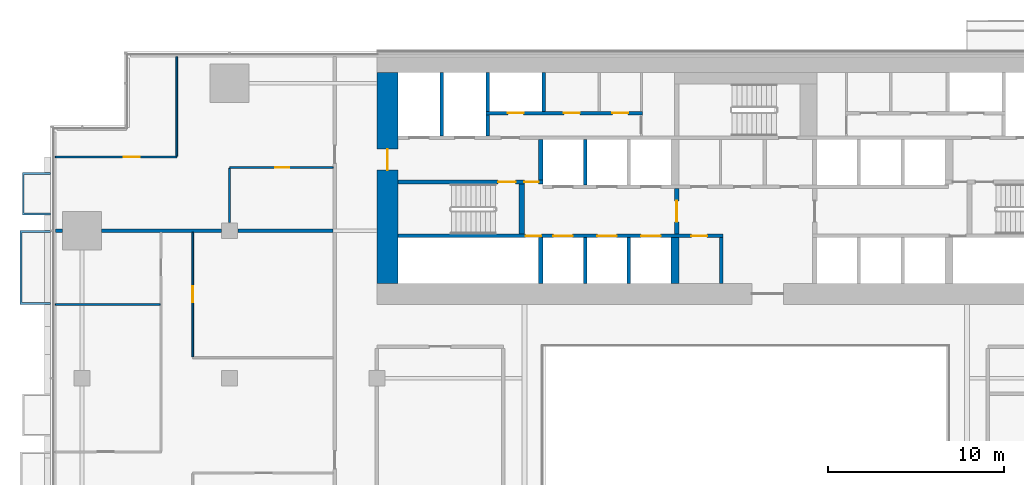
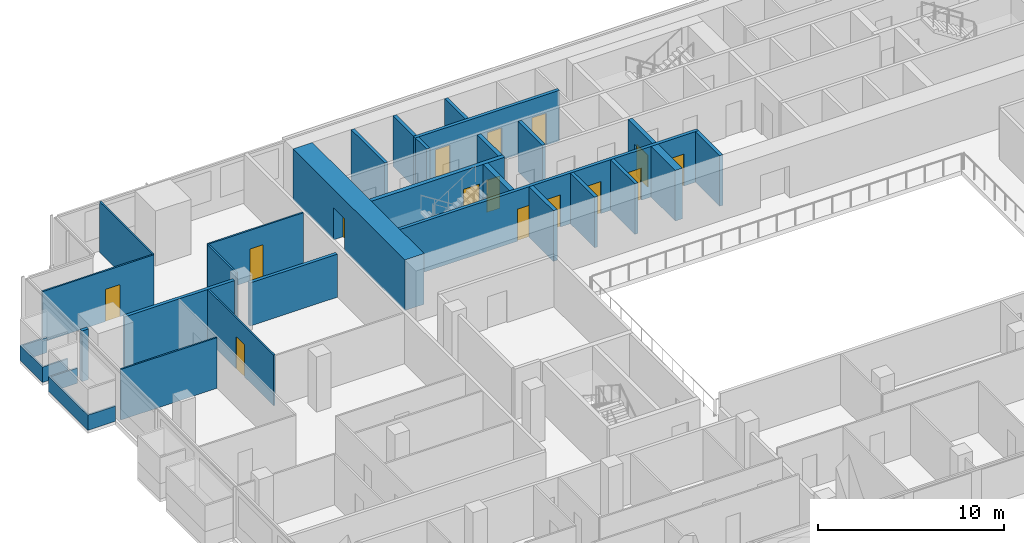
# One storey, part 20 of 30: 28 walls, 15 doors, 15 openings.
"""IFC4 building model written with IfcOpenShell, lengths in metres."""

from ifc_helpers import new_model, si_unit, direction, frame, frame_2d, origin, place, context, subcontext, project, spatial, polyline, rectangle, outline, extrude, material, layer, layer_set, type_object, element, fill, save


model = new_model("IFC4")

# Units and contexts
model_context = context("Model", 3, precision=1e-05, world=origin(), true_north=direction((0.0, 1.0)))
body_context = subcontext(model_context, "Body", "Model", "MODEL_VIEW")
ifc_project = project(units=[si_unit("LENGTHUNIT", "METRE"), si_unit("AREAUNIT", "SQUARE_METRE"), si_unit("VOLUMEUNIT", "CUBIC_METRE"), si_unit("PLANEANGLEUNIT", "RADIAN"), si_unit("MASSUNIT", "GRAM", prefix="KILO")], contexts=[model_context])

# Site, building, storey
site_placement = place(None, origin())
site = spatial("IfcSite", under=ifc_project, at=site_placement, CompositionType="ELEMENT")
building_placement = place(site_placement, origin())
building = spatial("IfcBuilding", under=site, at=building_placement, Name="Saffron Gate Tower", CompositionType="ELEMENT")
storey_placement = place(building_placement, frame((0.0, 0.0, 37.199951171875)))
storey = spatial("IfcBuildingStorey", under=building, at=storey_placement, Name="L07", CompositionType="ELEMENT", Elevation=37.199951171875)

# Wall, opening, door
ifc_material_1 = material(Name="Concrete C70", Category="concrete")
ifc_layer_1 = layer(ifc_material_1, 1.199951171875)
ifc_layer_set_1 = layer_set([ifc_layer_1], Name="CW1 RC core wall 1200 C70")
wall_type_1 = type_object("IfcWallType", Name="CW1 RC core wall 1200 C70", PredefinedType="SOLIDWALL", material=ifc_layer_set_1)
wall_1_placement = place(storey_placement, frame((67.199951171875, 62.39990234375, 0.0), z_axis=(0.0, 0.0, 1.0), x_axis=(0.0, 1.0, 0.0)))
wall_1 = element("IfcWall", 1, at=wall_1_placement, inside=storey, type_object=wall_type_1, Name="Wall CW1-L07-3", PredefinedType="SOLIDWALL", context=body_context, shape_type="SweptSolid", body=[
    extrude(rectangle(XDim=12.0, YDim=1.199951171875, at=frame_2d((6.0, 0.0))), origin(), (0.0, 0.0, 1.0), 3.320068359375),
])
opening_1_placement = place(wall_1_placement, frame((6.449951171875, 0.0, 0.0)))
opening_1 = element("IfcOpeningElement", 2, at=opening_1_placement, cuts=wall_1, Name="Opening CR-10", PredefinedType="OPENING", context=body_context, shape_type="SweptSolid", body=[
    extrude(rectangle(XDim=1.199951171875, YDim=2.10009765625, at=frame_2d((0.60009765625, 1.050048828125))), frame((0.0, 0.60986328125, 0.0), z_axis=(0.0, -1.0, 0.0), x_axis=(1.0, 0.0, 0.0)), (0.0, 0.0, 1.0), 1.219970703125),
])
ifc_material_2 = material(Name="Steel fire door set", Category="steel")
door_type_1 = type_object("IfcDoorType", Name="CD7 Core entrance door 1200x2100 EI 120", OperationType="NOTDEFINED", PredefinedType="DOOR", material=ifc_material_2)
door_1_placement = place(opening_1_placement, origin())
door_1 = element("IfcDoor", 3, at=door_1_placement, inside=storey, type_object=door_type_1, Name="DOOR CR-10", OperationType="SINGLE_SWING_LEFT", OverallHeight=2.10009765625, OverallWidth=1.199951171875, PredefinedType="DOOR", context=body_context, shape_type="SweptSolid", body=[
    extrude(rectangle(XDim=1.199951171875, YDim=2.10009765625, at=frame_2d((0.60009765625, 1.050048828125))), frame((0.0, 0.02490234375, 0.0), z_axis=(0.0, -1.0, 0.0), x_axis=(1.0, 0.0, 0.0)), (0.0, 0.0, 1.0), 0.050048828125),
])
fill(opening_1, door_1)

# Walls
ifc_material_3 = material(Name="Gypsum board partition on steel studs", Category="steel")
ifc_layer_2 = layer(ifc_material_3, 0.199951171875)
ifc_layer_set_2 = layer_set([ifc_layer_2], Name="CW10 Core partition 200")
wall_type_2 = type_object("IfcWallType", Name="CW10 Core partition 200", PredefinedType="PARTITIONING", material=ifc_layer_set_2)
wall_2_placement = place(storey_placement, frame((86.199951171875, 62.39990234375, 0.0), z_axis=(0.0, 0.0, 1.0), x_axis=(0.0, 1.0, 0.0)))
element("IfcWall", 4, at=wall_2_placement, inside=storey, type_object=wall_type_2, Name="Wall CW10-L07-9", PredefinedType="PARTITIONING", context=body_context, shape_type="SweptSolid", body=[
    extrude(rectangle(XDim=2.60009765625, YDim=0.199951171875, at=frame_2d((1.300048828125, 0.0))), origin(), (0.0, 0.0, 1.0), 3.320068359375),
])
ifc_layer_3 = layer(ifc_material_1, 0.25)
ifc_layer_set_3 = layer_set([ifc_layer_3], Name="CW2 RC core wall 250 C70")
wall_type_3 = type_object("IfcWallType", Name="CW2 RC core wall 250 C70", PredefinedType="SOLIDWALL", material=ifc_layer_set_3)
wall_3_placement = place(storey_placement, frame((75.925048828125, 62.39990234375, 0.0), z_axis=(0.0, 0.0, 1.0), x_axis=(0.0, 1.0, 0.0)))
element("IfcWall", 5, at=wall_3_placement, inside=storey, type_object=wall_type_3, Name="Wall CW2-L07-5", PredefinedType="SOLIDWALL", context=body_context, shape_type="SweptSolid", body=[
    extrude(rectangle(XDim=2.60009765625, YDim=0.25, at=frame_2d((1.300048828125, 0.0))), origin(), (0.0, 0.0, 1.0), 3.320068359375),
])

# Wall, opening, door
wall_4_placement = place(storey_placement, frame((83.675048828125, 65.199951171875, 0.0), z_axis=(0.0, 0.0, 1.0), x_axis=(0.0, 1.0, 0.0)))
wall_4 = element("IfcWall", 6, at=wall_4_placement, inside=storey, type_object=wall_type_3, Name="Wall CW2-L07-17", PredefinedType="SOLIDWALL", context=body_context, shape_type="SweptSolid", body=[
    extrude(rectangle(XDim=2.60009765625, YDim=0.25, at=frame_2d((1.300048828125, 0.0))), origin(), (0.0, 0.0, 1.0), 3.320068359375),
])
opening_2_placement = place(wall_4_placement, frame((0.699951171875, 0.0, 0.0)))
opening_2 = element("IfcOpeningElement", 7, at=opening_2_placement, cuts=wall_4, Name="Opening CR-07", PredefinedType="OPENING", context=body_context, shape_type="SweptSolid", body=[
    extrude(rectangle(XDim=1.199951171875, YDim=2.10009765625, at=frame_2d((0.60009765625, 1.050048828125))), frame((0.0, 0.135009765625, 0.0), z_axis=(0.0, -1.0, 0.0), x_axis=(1.0, 0.0, 0.0)), (0.0, 0.0, 1.0), 0.27001953125),
])
door_type_2 = type_object("IfcDoorType", Name="CD3 Lobby door 1200x2100 EI 120", OperationType="NOTDEFINED", PredefinedType="DOOR", material=ifc_material_2)
door_2_placement = place(opening_2_placement, origin())
door_2 = element("IfcDoor", 8, at=door_2_placement, inside=storey, type_object=door_type_2, Name="DOOR CR-07", OperationType="SINGLE_SWING_RIGHT", OverallHeight=2.10009765625, OverallWidth=1.199951171875, PredefinedType="DOOR", context=body_context, shape_type="SweptSolid", body=[
    extrude(rectangle(XDim=1.199951171875, YDim=2.10009765625, at=frame_2d((0.60009765625, 1.050048828125))), frame((0.0, 0.02490234375, 0.0), z_axis=(0.0, -1.0, 0.0), x_axis=(1.0, 0.0, 0.0)), (0.0, 0.0, 1.0), 0.050048828125),
])
fill(opening_2, door_2)

# Wall, openings, doors
wall_5_placement = place(storey_placement, frame((67.800048828125, 68.175048828125, 0.0), z_axis=(0.0, 0.0, 1.0), x_axis=(1.0, 0.0, 0.0)))
wall_5 = element("IfcWall", 9, at=wall_5_placement, inside=storey, type_object=wall_type_3, Name="Wall CW2-L07-30", PredefinedType="SOLIDWALL", context=body_context, shape_type="SweptSolid", body=[
    extrude(rectangle(XDim=8.25, YDim=0.25, at=frame_2d((4.125, 0.0))), origin(), (0.0, 0.0, 1.0), 3.320068359375),
])
opening_3_placement = place(wall_5_placement, frame((5.699951171875, 0.0, 0.0)))
opening_3 = element("IfcOpeningElement", 10, at=opening_3_placement, cuts=wall_5, Name="Opening CR-15", PredefinedType="OPENING", context=body_context, shape_type="SweptSolid", body=[
    extrude(rectangle(XDim=1.0, YDim=2.10009765625, at=frame_2d((0.5, 1.050048828125))), frame((0.0, 0.135009765625, 0.0), z_axis=(0.0, -1.0, 0.0), x_axis=(1.0, 0.0, 0.0)), (0.0, 0.0, 1.0), 0.27001953125),
])
opening_4_placement = place(wall_5_placement, frame((7.199951171875, 0.0, 0.0)))
opening_4 = element("IfcOpeningElement", 11, at=opening_4_placement, cuts=wall_5, Name="Opening CR-06", PredefinedType="OPENING", context=body_context, shape_type="SweptSolid", body=[
    extrude(rectangle(XDim=0.800048828125, YDim=2.10009765625, at=frame_2d((0.39990234375, 1.050048828125))), frame((0.0, 0.135009765625, 0.0), z_axis=(0.0, -1.0, 0.0), x_axis=(1.0, 0.0, 0.0)), (0.0, 0.0, 1.0), 0.27001953125),
])
door_type_3 = type_object("IfcDoorType", Name="CD5 Stair door 1000x2100 EI 120", OperationType="NOTDEFINED", PredefinedType="DOOR", material=ifc_material_2)
door_3_placement = place(opening_3_placement, origin())
door_3 = element("IfcDoor", 12, at=door_3_placement, inside=storey, type_object=door_type_3, Name="DOOR CR-15", OperationType="SINGLE_SWING_RIGHT", OverallHeight=2.10009765625, OverallWidth=1.0, PredefinedType="DOOR", context=body_context, shape_type="SweptSolid", body=[
    extrude(rectangle(XDim=1.0, YDim=2.10009765625, at=frame_2d((0.5, 1.050048828125))), frame((0.0, 0.02490234375, 0.0), z_axis=(0.0, -1.0, 0.0), x_axis=(1.0, 0.0, 0.0)), (0.0, 0.0, 1.0), 0.050048828125),
])
fill(opening_3, door_3)
door_type_4 = type_object("IfcDoorType", Name="CD6 Lobby door 800x2100 EI 120", OperationType="NOTDEFINED", PredefinedType="DOOR", material=ifc_material_2)
door_4_placement = place(opening_4_placement, origin())
door_4 = element("IfcDoor", 13, at=door_4_placement, inside=storey, type_object=door_type_4, Name="DOOR CR-06", OperationType="SINGLE_SWING_LEFT", OverallHeight=2.10009765625, OverallWidth=0.800048828125, PredefinedType="DOOR", context=body_context, shape_type="SweptSolid", body=[
    extrude(rectangle(XDim=0.800048828125, YDim=2.10009765625, at=frame_2d((0.39990234375, 1.050048828125))), frame((0.0, 0.02490234375, 0.0), z_axis=(0.0, -1.0, 0.0), x_axis=(1.0, 0.0, 0.0)), (0.0, 0.0, 1.0), 0.050048828125),
])
fill(opening_4, door_4)

# Walls
wall_6_placement = place(storey_placement, frame((75.925048828125, 68.300048828125, 0.0), z_axis=(0.0, 0.0, 1.0), x_axis=(0.0, 1.0, 0.0)))
element("IfcWall", 14, at=wall_6_placement, inside=storey, type_object=wall_type_3, Name="Wall CW2-L07-32", PredefinedType="SOLIDWALL", context=body_context, shape_type="SweptSolid", body=[
    extrude(rectangle(XDim=2.300048828125, YDim=0.25, at=frame_2d((1.14990234375, 0.0))), origin(), (0.0, 0.0, 1.0), 3.320068359375),
])
ifc_layer_4 = layer(ifc_material_1, 0.199951171875)
ifc_layer_set_4 = layer_set([ifc_layer_4], Name="CW3 RC core wall 200 C70")
wall_type_4 = type_object("IfcWallType", Name="CW3 RC core wall 200 C70", PredefinedType="SOLIDWALL", material=ifc_layer_set_4)
for number, where, z_axis, x_axis, name in (
    (15, (78.449951171875, 62.39990234375, 0.0), (0.0, 0.0, 1.0), (0.0, 1.0, 0.0), "Wall CW3-L07-6"),
    (16, (80.949951171875, 62.39990234375, 0.0), (0.0, 0.0, 1.0), (0.0, 1.0, 0.0), "Wall CW3-L07-7"),
):
    element("IfcWall", number, at=place(storey_placement, frame(where, z_axis=z_axis, x_axis=x_axis)), inside=storey, type_object=wall_type_4, Name=name, PredefinedType="SOLIDWALL", context=body_context, shape_type="SweptSolid", body=[
        extrude(rectangle(XDim=2.60009765625, YDim=0.199951171875, at=frame_2d((1.300048828125, 0.0))), origin(), (0.0, 0.0, 1.0), 3.320068359375),
    ])

# Wall, openings, doors
wall_7_placement = place(storey_placement, frame((67.800048828125, 65.10009765625, 0.0), z_axis=(0.0, 0.0, 1.0), x_axis=(1.0, 0.0, 0.0)))
wall_7 = element("IfcWall", 17, at=wall_7_placement, inside=storey, type_object=wall_type_4, Name="Wall CW3-L07-14", PredefinedType="SOLIDWALL", context=body_context, shape_type="SweptSolid", body=[
    extrude(rectangle(XDim=18.5, YDim=0.199951171875, at=frame_2d((9.25, 0.0))), origin(), (0.0, 0.0, 1.0), 3.320068359375),
])
opening_5_placement = place(wall_7_placement, frame((7.27001953125, 0.0, 0.0)))
opening_5 = element("IfcOpeningElement", 18, at=opening_5_placement, cuts=wall_7, Name="Opening CR-49", PredefinedType="OPENING", context=body_context, shape_type="SweptSolid", body=[
    extrude(rectangle(XDim=0.89990234375, YDim=2.10009765625, at=frame_2d((0.449951171875, 1.050048828125))), frame((0.0, 0.10986328125, 0.0), z_axis=(0.0, -1.0, 0.0), x_axis=(1.0, 0.0, 0.0)), (0.0, 0.0, 1.0), 0.219970703125),
])
opening_6_placement = place(wall_7_placement, frame((8.85009765625, 0.0, 0.0)))
opening_6 = element("IfcOpeningElement", 19, at=opening_6_placement, cuts=wall_7, Name="Opening LD-LR1", PredefinedType="OPENING", context=body_context, shape_type="SweptSolid", body=[
    extrude(rectangle(XDim=1.10009765625, YDim=2.10009765625, at=frame_2d((0.550048828125, 1.050048828125))), frame((0.0, 0.10986328125, 0.0), z_axis=(0.0, -1.0, 0.0), x_axis=(1.0, 0.0, 0.0)), (0.0, 0.0, 1.0), 0.219970703125),
])
opening_7_placement = place(wall_7_placement, frame((11.35009765625, 0.0, 0.0)))
opening_7 = element("IfcOpeningElement", 20, at=opening_7_placement, cuts=wall_7, Name="Opening LD-LR2", PredefinedType="OPENING", context=body_context, shape_type="SweptSolid", body=[
    extrude(rectangle(XDim=1.10009765625, YDim=2.10009765625, at=frame_2d((0.550048828125, 1.050048828125))), frame((0.0, 0.10986328125, 0.0), z_axis=(0.0, -1.0, 0.0), x_axis=(1.0, 0.0, 0.0)), (0.0, 0.0, 1.0), 0.219970703125),
])
opening_8_placement = place(wall_7_placement, frame((13.85009765625, 0.0, 0.0)))
opening_8 = element("IfcOpeningElement", 21, at=opening_8_placement, cuts=wall_7, Name="Opening LD-LR3", PredefinedType="OPENING", context=body_context, shape_type="SweptSolid", body=[
    extrude(rectangle(XDim=1.10009765625, YDim=2.10009765625, at=frame_2d((0.550048828125, 1.050048828125))), frame((0.0, 0.10986328125, 0.0), z_axis=(0.0, -1.0, 0.0), x_axis=(1.0, 0.0, 0.0)), (0.0, 0.0, 1.0), 0.219970703125),
])
opening_9_placement = place(wall_7_placement, frame((16.699951171875, 0.0, 0.0)))
opening_9 = element("IfcOpeningElement", 22, at=opening_9_placement, cuts=wall_7, Name="Opening CR-69", PredefinedType="OPENING", context=body_context, shape_type="SweptSolid", body=[
    extrude(rectangle(XDim=0.89990234375, YDim=2.10009765625, at=frame_2d((0.449951171875, 1.050048828125))), frame((0.0, 0.10986328125, 0.0), z_axis=(0.0, -1.0, 0.0), x_axis=(1.0, 0.0, 0.0)), (0.0, 0.0, 1.0), 0.219970703125),
])
door_type_5 = type_object("IfcDoorType", Name="CD2 Riser door 900x2100 EI 60", OperationType="NOTDEFINED", PredefinedType="DOOR", material=ifc_material_2)
door_5_placement = place(opening_5_placement, origin())
door_5 = element("IfcDoor", 23, at=door_5_placement, inside=storey, type_object=door_type_5, Name="DOOR CR-49", OperationType="SINGLE_SWING_LEFT", OverallHeight=2.10009765625, OverallWidth=0.89990234375, PredefinedType="DOOR", context=body_context, shape_type="SweptSolid", body=[
    extrude(rectangle(XDim=0.89990234375, YDim=2.10009765625, at=frame_2d((0.449951171875, 1.050048828125))), frame((0.0, 0.02490234375, 0.0), z_axis=(0.0, -1.0, 0.0), x_axis=(1.0, 0.0, 0.0)), (0.0, 0.0, 1.0), 0.050048828125),
])
fill(opening_5, door_5)
door_type_6 = type_object("IfcDoorType", Name="CD9 Room door 900x2100 EI 60", OperationType="NOTDEFINED", PredefinedType="DOOR", material=ifc_material_2)
door_6_placement = place(opening_9_placement, origin())
door_6 = element("IfcDoor", 24, at=door_6_placement, inside=storey, type_object=door_type_6, Name="DOOR CR-69", OperationType="SINGLE_SWING_RIGHT", OverallHeight=2.10009765625, OverallWidth=0.89990234375, PredefinedType="DOOR", context=body_context, shape_type="SweptSolid", body=[
    extrude(rectangle(XDim=0.89990234375, YDim=2.10009765625, at=frame_2d((0.449951171875, 1.050048828125))), frame((0.0, 0.02490234375, 0.0), z_axis=(0.0, -1.0, 0.0), x_axis=(1.0, 0.0, 0.0)), (0.0, 0.0, 1.0), 0.050048828125),
])
fill(opening_9, door_6)
ifc_material_4 = material(Name="Stainless steel landing door", Category="steel")
door_type_7 = type_object("IfcDoorType", Name="LD Lift landing door 1100x2100 EI 120", OperationType="SLIDING_TO_LEFT", PredefinedType="DOOR", material=ifc_material_4)
door_7_placement = place(opening_6_placement, origin())
door_7 = element("IfcDoor", 25, at=door_7_placement, inside=storey, type_object=door_type_7, Name="LANDING DOOR LD-LR1", OperationType="SLIDING_TO_LEFT", OverallHeight=2.10009765625, OverallWidth=1.10009765625, PredefinedType="DOOR", context=body_context, shape_type="SweptSolid", body=[
    extrude(rectangle(XDim=1.10009765625, YDim=2.10009765625, at=frame_2d((0.550048828125, 1.050048828125))), frame((0.0, 0.02490234375, 0.0), z_axis=(0.0, -1.0, 0.0), x_axis=(1.0, 0.0, 0.0)), (0.0, 0.0, 1.0), 0.050048828125),
])
fill(opening_6, door_7)
door_8_placement = place(opening_7_placement, origin())
door_8 = element("IfcDoor", 26, at=door_8_placement, inside=storey, type_object=door_type_7, Name="LANDING DOOR LD-LR2", OperationType="SLIDING_TO_LEFT", OverallHeight=2.10009765625, OverallWidth=1.10009765625, PredefinedType="DOOR", context=body_context, shape_type="SweptSolid", body=[
    extrude(rectangle(XDim=1.10009765625, YDim=2.10009765625, at=frame_2d((0.550048828125, 1.050048828125))), frame((0.0, 0.02490234375, 0.0), z_axis=(0.0, -1.0, 0.0), x_axis=(1.0, 0.0, 0.0)), (0.0, 0.0, 1.0), 0.050048828125),
])
fill(opening_7, door_8)
door_9_placement = place(opening_8_placement, origin())
door_9 = element("IfcDoor", 27, at=door_9_placement, inside=storey, type_object=door_type_7, Name="LANDING DOOR LD-LR3", OperationType="SLIDING_TO_LEFT", OverallHeight=2.10009765625, OverallWidth=1.10009765625, PredefinedType="DOOR", context=body_context, shape_type="SweptSolid", body=[
    extrude(rectangle(XDim=1.10009765625, YDim=2.10009765625, at=frame_2d((0.550048828125, 1.050048828125))), frame((0.0, 0.02490234375, 0.0), z_axis=(0.0, -1.0, 0.0), x_axis=(1.0, 0.0, 0.0)), (0.0, 0.0, 1.0), 0.050048828125),
])
fill(opening_8, door_9)

# Walls
wall_8_placement = place(storey_placement, frame((78.449951171875, 68.0, 0.0), z_axis=(0.0, 0.0, 1.0), x_axis=(0.0, 1.0, 0.0)))
element("IfcWall", 28, at=wall_8_placement, inside=storey, type_object=wall_type_4, Name="Wall CW3-L07-21", PredefinedType="SOLIDWALL", context=body_context, shape_type="SweptSolid", body=[
    extrude(rectangle(XDim=2.60009765625, YDim=0.199951171875, at=frame_2d((1.300048828125, 0.0))), origin(), (0.0, 0.0, 1.0), 3.320068359375),
])
wall_9_placement = place(storey_placement, frame((70.300048828125, 70.800048828125, 0.0), z_axis=(0.0, 0.0, 1.0), x_axis=(0.0, 1.0, 0.0)))
element("IfcWall", 29, at=wall_9_placement, inside=storey, type_object=wall_type_4, Name="Wall CW3-L07-35", PredefinedType="SOLIDWALL", context=body_context, shape_type="SweptSolid", body=[
    extrude(rectangle(XDim=3.599853515625, YDim=0.199951171875, at=frame_2d((1.7998046875, 0.0))), origin(), (0.0, 0.0, 1.0), 3.320068359375),
])
wall_10_placement = place(storey_placement, frame((72.89990234375, 70.800048828125, 0.0), z_axis=(0.0, 0.0, 1.0), x_axis=(0.0, 1.0, 0.0)))
element("IfcWall", 30, at=wall_10_placement, inside=storey, type_object=wall_type_4, Name="Wall CW3-L07-36", PredefinedType="SOLIDWALL", context=body_context, shape_type="SweptSolid", body=[
    extrude(rectangle(XDim=1.199951171875, YDim=0.199951171875, at=frame_2d((0.60009765625, 0.0))), origin(), (0.0, 0.0, 1.0), 3.320068359375),
])

# Wall, openings, doors
wall_11_placement = place(storey_placement, frame((72.800048828125, 72.10009765625, 0.0), z_axis=(0.0, 0.0, 1.0), x_axis=(1.0, 0.0, 0.0)))
wall_11 = element("IfcWall", 31, at=wall_11_placement, inside=storey, type_object=wall_type_4, Name="Wall CW3-L07-43", PredefinedType="SOLIDWALL", context=body_context, shape_type="SweptSolid", body=[
    extrude(rectangle(XDim=8.919921875, YDim=0.199951171875, at=frame_2d((4.4599609375, 0.0))), origin(), (0.0, 0.0, 1.0), 3.320068359375),
])
opening_10_placement = place(wall_11_placement, frame((1.25, 0.0, 0.0)))
opening_10 = element("IfcOpeningElement", 32, at=opening_10_placement, cuts=wall_11, Name="Opening CR-71", PredefinedType="OPENING", context=body_context, shape_type="SweptSolid", body=[
    extrude(rectangle(XDim=0.89990234375, YDim=2.10009765625, at=frame_2d((0.449951171875, 1.050048828125))), frame((0.0, 0.10986328125, 0.0), z_axis=(0.0, -1.0, 0.0), x_axis=(1.0, 0.0, 0.0)), (0.0, 0.0, 1.0), 0.219970703125),
])
opening_11_placement = place(wall_11_placement, frame((4.449951171875, 0.0, 0.0)))
opening_11 = element("IfcOpeningElement", 33, at=opening_11_placement, cuts=wall_11, Name="Opening CR-55", PredefinedType="OPENING", context=body_context, shape_type="SweptSolid", body=[
    extrude(rectangle(XDim=0.89990234375, YDim=2.10009765625, at=frame_2d((0.449951171875, 1.050048828125))), frame((0.0, 0.10986328125, 0.0), z_axis=(0.0, -1.0, 0.0), x_axis=(1.0, 0.0, 0.0)), (0.0, 0.0, 1.0), 0.219970703125),
])
opening_12_placement = place(wall_11_placement, frame((7.2099609375, 0.0, 0.0)))
opening_12 = element("IfcOpeningElement", 34, at=opening_12_placement, cuts=wall_11, Name="Opening CR-58", PredefinedType="OPENING", context=body_context, shape_type="SweptSolid", body=[
    extrude(rectangle(XDim=0.89990234375, YDim=2.10009765625, at=frame_2d((0.449951171875, 1.050048828125))), frame((0.0, 0.10986328125, 0.0), z_axis=(0.0, -1.0, 0.0), x_axis=(1.0, 0.0, 0.0)), (0.0, 0.0, 1.0), 0.219970703125),
])
door_10_placement = place(opening_10_placement, origin())
door_10 = element("IfcDoor", 35, at=door_10_placement, inside=storey, type_object=door_type_5, Name="DOOR CR-71", OperationType="SINGLE_SWING_LEFT", OverallHeight=2.10009765625, OverallWidth=0.89990234375, PredefinedType="DOOR", context=body_context, shape_type="SweptSolid", body=[
    extrude(rectangle(XDim=0.89990234375, YDim=2.10009765625, at=frame_2d((0.449951171875, 1.050048828125))), frame((0.0, 0.02490234375, 0.0), z_axis=(0.0, -1.0, 0.0), x_axis=(1.0, 0.0, 0.0)), (0.0, 0.0, 1.0), 0.050048828125),
])
fill(opening_10, door_10)
door_11_placement = place(opening_11_placement, origin())
door_11 = element("IfcDoor", 36, at=door_11_placement, inside=storey, type_object=door_type_6, Name="DOOR CR-55", OperationType="SINGLE_SWING_LEFT", OverallHeight=2.10009765625, OverallWidth=0.89990234375, PredefinedType="DOOR", context=body_context, shape_type="SweptSolid", body=[
    extrude(rectangle(XDim=0.89990234375, YDim=2.10009765625, at=frame_2d((0.449951171875, 1.050048828125))), frame((0.0, 0.02490234375, 0.0), z_axis=(0.0, -1.0, 0.0), x_axis=(1.0, 0.0, 0.0)), (0.0, 0.0, 1.0), 0.050048828125),
])
fill(opening_11, door_11)
door_12_placement = place(opening_12_placement, origin())
door_12 = element("IfcDoor", 37, at=door_12_placement, inside=storey, type_object=door_type_6, Name="DOOR CR-58", OperationType="SINGLE_SWING_LEFT", OverallHeight=2.10009765625, OverallWidth=0.89990234375, PredefinedType="DOOR", context=body_context, shape_type="SweptSolid", body=[
    extrude(rectangle(XDim=0.89990234375, YDim=2.10009765625, at=frame_2d((0.449951171875, 1.050048828125))), frame((0.0, 0.02490234375, 0.0), z_axis=(0.0, -1.0, 0.0), x_axis=(1.0, 0.0, 0.0)), (0.0, 0.0, 1.0), 0.050048828125),
])
fill(opening_12, door_12)

# Walls
for number, where, z_axis, x_axis, name in (
    (38, (72.89990234375, 72.199951171875, 0.0), (0.0, 0.0, 1.0), (0.0, 1.0, 0.0), "Wall CW3-L07-45"),
    (39, (76.10009765625, 72.199951171875, 0.0), (0.0, 0.0, 1.0), (0.0, 1.0, 0.0), "Wall CW3-L07-46"),
):
    element("IfcWall", number, at=place(storey_placement, frame(where, z_axis=z_axis, x_axis=x_axis)), inside=storey, type_object=wall_type_4, Name=name, PredefinedType="SOLIDWALL", context=body_context, shape_type="SweptSolid", body=[
        extrude(rectangle(XDim=2.199951171875, YDim=0.199951171875, at=frame_2d((1.10009765625, 0.0))), origin(), (0.0, 0.0, 1.0), 3.320068359375),
    ])
ifc_layer_5 = layer(ifc_material_1, 0.449951171875)
ifc_layer_set_5 = layer_set([ifc_layer_5], Name="CW4 RC core wall 450 C70")
wall_type_5 = type_object("IfcWallType", Name="CW4 RC core wall 450 C70", PredefinedType="SOLIDWALL", material=ifc_layer_set_5)
wall_12_placement = place(storey_placement, frame((83.574951171875, 62.39990234375, 0.0), z_axis=(0.0, 0.0, 1.0), x_axis=(0.0, 1.0, 0.0)))
element("IfcWall", 40, at=wall_12_placement, inside=storey, type_object=wall_type_5, Name="Wall CW4-L07-8", PredefinedType="SOLIDWALL", context=body_context, shape_type="SweptSolid", body=[
    extrude(rectangle(XDim=2.60009765625, YDim=0.449951171875, at=frame_2d((1.300048828125, 0.0))), origin(), (0.0, 0.0, 1.0), 3.320068359375),
])
ifc_layer_6 = layer(ifc_material_1, 0.300048828125)
ifc_layer_set_6 = layer_set([ifc_layer_6], Name="CW5 RC core wall 300 C70")
wall_type_6 = type_object("IfcWallType", Name="CW5 RC core wall 300 C70", PredefinedType="SOLIDWALL", material=ifc_layer_set_6)
wall_13_placement = place(storey_placement, frame((74.85009765625, 65.199951171875, 0.0), z_axis=(0.0, 0.0, 1.0), x_axis=(0.0, 1.0, 0.0)))
element("IfcWall", 41, at=wall_13_placement, inside=storey, type_object=wall_type_6, Name="Wall CW5-L07-16", PredefinedType="SOLIDWALL", context=body_context, shape_type="SweptSolid", body=[
    extrude(rectangle(XDim=2.85009765625, YDim=0.300048828125, at=frame_2d((1.425048828125, 0.0))), origin(), (0.0, 0.0, 1.0), 3.320068359375),
])
ifc_material_5 = material(Name="Plasterboard on steel studs", Category="steel")
ifc_layer_7 = layer(ifc_material_5, 0.10009765625)
ifc_layer_set_7 = layer_set([ifc_layer_7], Name="PW1 Partition 100")
wall_type_7 = type_object("IfcWallType", Name="PW1 Partition 100", PredefinedType="PARTITIONING", material=ifc_layer_set_7)
wall_14_placement = place(storey_placement, frame((48.280029296875, 61.199951171875, 0.0), z_axis=(0.0, 0.0, 1.0), x_axis=(1.0, 0.0, 0.0)))
element("IfcWall", 42, at=wall_14_placement, inside=storey, type_object=wall_type_7, Name="Partition A1-40", PredefinedType="PARTITIONING", context=body_context, shape_type="SweptSolid", body=[
    extrude(rectangle(XDim=5.969970703125, YDim=0.10009765625, at=frame_2d((2.98486328125, 0.0))), origin(), (0.0, 0.0, 1.0), 3.320068359375),
])

# Wall, opening, door
wall_15_placement = place(storey_placement, frame((64.10009765625, 69.0, 0.0), z_axis=(0.0, 0.0, 1.0), x_axis=(-1.0, 0.0, 0.0)))
wall_15 = element("IfcWall", 43, at=wall_15_placement, inside=storey, type_object=wall_type_7, Name="Partition A1-49", PredefinedType="PARTITIONING", context=body_context, shape_type="SweptSolid", body=[
    extrude(rectangle(XDim=5.900146484375, YDim=0.10009765625, at=frame_2d((2.9501953125, 0.0))), origin(), (0.0, 0.0, 1.0), 3.320068359375),
])
opening_13_placement = place(wall_15_placement, frame((2.5, 0.0, 0.0)))
opening_13 = element("IfcOpeningElement", 44, at=opening_13_placement, cuts=wall_15, Name="Opening A1-44", PredefinedType="OPENING", context=body_context, shape_type="SweptSolid", body=[
    extrude(rectangle(XDim=0.800048828125, YDim=2.10009765625, at=frame_2d((0.39990234375, 1.050048828125))), frame((0.0, 0.06005859375, 0.0), z_axis=(0.0, -1.0, 0.0), x_axis=(1.0, 0.0, 0.0)), (0.0, 0.0, 1.0), 0.1201171875),
])
ifc_material_6 = material(Name="Timber door set", Category="wood")
door_type_8 = type_object("IfcDoorType", Name="RD2 Bathroom door 800x2100", OperationType="NOTDEFINED", PredefinedType="DOOR", material=ifc_material_6)
door_13_placement = place(opening_13_placement, origin())
door_13 = element("IfcDoor", 45, at=door_13_placement, inside=storey, type_object=door_type_8, Name="Door A1-44", OperationType="SINGLE_SWING_LEFT", OverallHeight=2.10009765625, OverallWidth=0.800048828125, PredefinedType="DOOR", context=body_context, shape_type="SweptSolid", body=[
    extrude(rectangle(XDim=0.800048828125, YDim=2.10009765625, at=frame_2d((0.39990234375, 1.050048828125))), frame((0.0, 0.02490234375, 0.0), z_axis=(0.0, -1.0, 0.0), x_axis=(1.0, 0.0, 0.0)), (0.0, 0.0, 1.0), 0.050048828125),
])
fill(opening_13, door_13)

wall_16_placement = place(storey_placement, frame((48.280029296875, 69.60009765625, 0.0), z_axis=(0.0, 0.0, 1.0), x_axis=(1.0, 0.0, 0.0)))
wall_16 = element("IfcWall", 46, at=wall_16_placement, inside=storey, type_object=wall_type_7, Name="Partition A1-50", PredefinedType="PARTITIONING", context=body_context, shape_type="SweptSolid", body=[
    extrude(rectangle(XDim=6.919921875, YDim=0.10009765625, at=frame_2d((3.4599609375, 0.0))), origin(), (0.0, 0.0, 1.0), 3.320068359375),
])
opening_14_placement = place(wall_16_placement, frame((3.9052734375, 0.0, 0.0)))
opening_14 = element("IfcOpeningElement", 47, at=opening_14_placement, cuts=wall_16, Name="Opening A1-28", PredefinedType="OPENING", context=body_context, shape_type="SweptSolid", body=[
    extrude(rectangle(XDim=0.89990234375, YDim=2.10009765625, at=frame_2d((0.449951171875, 1.050048828125))), frame((0.0, 0.06005859375, 0.0), z_axis=(0.0, -1.0, 0.0), x_axis=(1.0, 0.0, 0.0)), (0.0, 0.0, 1.0), 0.1201171875),
])
door_type_9 = type_object("IfcDoorType", Name="RD1 Room door 900x2100", OperationType="NOTDEFINED", PredefinedType="DOOR", material=ifc_material_6)
door_14_placement = place(opening_14_placement, origin())
door_14 = element("IfcDoor", 48, at=door_14_placement, inside=storey, type_object=door_type_9, Name="Door A1-28", OperationType="SINGLE_SWING_RIGHT", OverallHeight=2.10009765625, OverallWidth=0.89990234375, PredefinedType="DOOR", context=body_context, shape_type="SweptSolid", body=[
    extrude(rectangle(XDim=0.89990234375, YDim=2.10009765625, at=frame_2d((0.449951171875, 1.050048828125))), frame((0.0, 0.02490234375, 0.0), z_axis=(0.0, -1.0, 0.0), x_axis=(1.0, 0.0, 0.0)), (0.0, 0.0, 1.0), 0.050048828125),
])
fill(opening_14, door_14)

# Wall
wall_17_placement = place(storey_placement, frame((55.199951171875, 75.320068359375, 0.0), z_axis=(0.0, 0.0, 1.0), x_axis=(0.0, -1.0, 0.0)))
element("IfcWall", 49, at=wall_17_placement, inside=storey, type_object=wall_type_7, Name="Partition A1-55", PredefinedType="PARTITIONING", context=body_context, shape_type="SweptSolid", body=[
    extrude(rectangle(XDim=5.670166015625, YDim=0.10009765625, at=frame_2d((2.8349609375, 0.0))), origin(), (0.0, 0.0, 1.0), 3.320068359375),
])

# Wall, opening, door
wall_18_placement = place(storey_placement, frame((56.10009765625, 65.300048828125, 0.0), z_axis=(0.0, 0.0, 1.0), x_axis=(0.0, -1.0, 0.0)))
wall_18 = element("IfcWall", 50, at=wall_18_placement, inside=storey, type_object=wall_type_7, Name="Partition A1-58", PredefinedType="PARTITIONING", context=body_context, shape_type="SweptSolid", body=[
    extrude(rectangle(XDim=7.08837890625, YDim=0.10009765625, at=frame_2d((3.544189453125, 0.0))), origin(), (0.0, 0.0, 1.0), 3.320068359375),
])
opening_15_placement = place(wall_18_placement, frame((3.069091796875, 0.0, 0.0)))
opening_15 = element("IfcOpeningElement", 51, at=opening_15_placement, cuts=wall_18, Name="Opening A1-26", PredefinedType="OPENING", context=body_context, shape_type="SweptSolid", body=[
    extrude(rectangle(XDim=0.89990234375, YDim=2.10009765625, at=frame_2d((0.449951171875, 1.050048828125))), frame((0.0, 0.06005859375, 0.0), z_axis=(0.0, -1.0, 0.0), x_axis=(1.0, 0.0, 0.0)), (0.0, 0.0, 1.0), 0.1201171875),
])
door_15_placement = place(opening_15_placement, origin())
door_15 = element("IfcDoor", 52, at=door_15_placement, inside=storey, type_object=door_type_9, Name="Door A1-26", OperationType="SINGLE_SWING_LEFT", OverallHeight=2.10009765625, OverallWidth=0.89990234375, PredefinedType="DOOR", context=body_context, shape_type="SweptSolid", body=[
    extrude(rectangle(XDim=0.89990234375, YDim=2.10009765625, at=frame_2d((0.449951171875, 1.050048828125))), frame((0.0, 0.02490234375, 0.0), z_axis=(0.0, -1.0, 0.0), x_axis=(1.0, 0.0, 0.0)), (0.0, 0.0, 1.0), 0.050048828125),
])
fill(opening_15, door_15)

# Walls
wall_19_placement = place(storey_placement, frame((58.199951171875, 68.949951171875, 0.0), z_axis=(0.0, 0.0, 1.0), x_axis=(0.0, -1.0, 0.0)))
element("IfcWall", 53, at=wall_19_placement, inside=storey, type_object=wall_type_7, Name="Partition A1-61", PredefinedType="PARTITIONING", context=body_context, shape_type="SweptSolid", body=[
    extrude(rectangle(XDim=3.079833984375, YDim=0.10009765625, at=frame_2d((1.5400390625, 0.0))), origin(), (0.0, 0.0, 1.0), 3.320068359375),
])
ifc_material_7 = material(Name="Clay brick masonry, rendered", Category="masonry")
ifc_layer_8 = layer(ifc_material_7, 0.199951171875)
ifc_layer_set_8 = layer_set([ifc_layer_8], Name="PW2 Demising wall 200")
wall_type_8 = type_object("IfcWallType", Name="PW2 Demising wall 200", PredefinedType="PARTITIONING", material=ifc_layer_set_8)
wall_20_placement = place(storey_placement, frame((48.280029296875, 65.39990234375, 0.0), z_axis=(0.0, 0.0, 1.0), x_axis=(1.0, 0.0, 0.0)))
element("IfcWall", 54, at=wall_20_placement, inside=storey, type_object=wall_type_8, Name="Wall A1-42", PredefinedType="PARTITIONING", context=body_context, shape_type="SweptSolid", body=[
    extrude(rectangle(XDim=0.39990234375, YDim=0.199951171875, at=frame_2d((0.199951171875, 0.0))), origin(), (0.0, 0.0, 1.0), 3.320068359375),
])
wall_21_placement = place(storey_placement, frame((50.919921875, 65.39990234375, 0.0), z_axis=(0.0, 0.0, 1.0), x_axis=(1.0, 0.0, 0.0)))
element("IfcWall", 55, at=wall_21_placement, inside=storey, type_object=wall_type_8, Name="Wall A1-43", PredefinedType="PARTITIONING", context=body_context, shape_type="SweptSolid", body=[
    extrude(rectangle(XDim=6.81005859375, YDim=0.199951171875, at=frame_2d((3.405029296875, 0.0))), origin(), (0.0, 0.0, 1.0), 3.320068359375),
])
wall_22_placement = place(storey_placement, frame((58.669921875, 65.39990234375, 0.0), z_axis=(0.0, 0.0, 1.0), x_axis=(1.0, 0.0, 0.0)))
element("IfcWall", 56, at=wall_22_placement, inside=storey, type_object=wall_type_8, Name="Wall A1-44", PredefinedType="PARTITIONING", context=body_context, shape_type="SweptSolid", body=[
    extrude(rectangle(XDim=5.43017578125, YDim=0.199951171875, at=frame_2d((2.715087890625, 0.0))), origin(), (0.0, 0.0, 1.0), 2.820068359375),
])
ifc_material_8 = material(Name="Rendered insulated panel, white")
ifc_layer_9 = layer(ifc_material_8, 0.10009765625)
ifc_layer_set_9 = layer_set([ifc_layer_9], Name="WB3 box parapet white")
wall_type_9 = type_object("IfcWallType", Name="WB3 box parapet white", PredefinedType="SOLIDWALL", material=ifc_layer_set_9)
wall_23_placement = place(storey_placement, origin())
element("IfcWall", 57, at=wall_23_placement, inside=storey, type_object=wall_type_9, Name="WINDOW BOX parapet", PredefinedType="SOLIDWALL", context=body_context, shape_type="SweptSolid", body=[
    extrude(outline(polyline([(48.0, 68.699951171875), (48.0, 68.60009765625), (46.5, 68.60009765625), (46.5, 66.39990234375), (48.0, 66.39990234375), (48.0, 66.300048828125), (46.39990234375, 66.300048828125), (46.39990234375, 68.699951171875), (48.0, 68.699951171875)])), origin(), (0.0, 0.0, 1.0), 1.0),
])
wall_24_placement = place(storey_placement, origin())
element("IfcWall", 58, at=wall_24_placement, inside=storey, type_object=wall_type_9, Name="WINDOW BOX parapet", PredefinedType="SOLIDWALL", context=body_context, shape_type="SweptSolid", body=[
    extrude(outline(polyline([(48.0, 65.39990234375), (48.0, 65.300048828125), (46.366943359375, 65.300048828125), (46.366943359375, 61.300048828125), (48.0, 61.300048828125), (48.0, 61.199951171875), (46.26708984375, 61.199951171875), (46.26708984375, 65.39990234375), (48.0, 65.39990234375)])), origin(), (0.0, 0.0, 1.0), 1.0),
])

save(model, "model.ifc")
